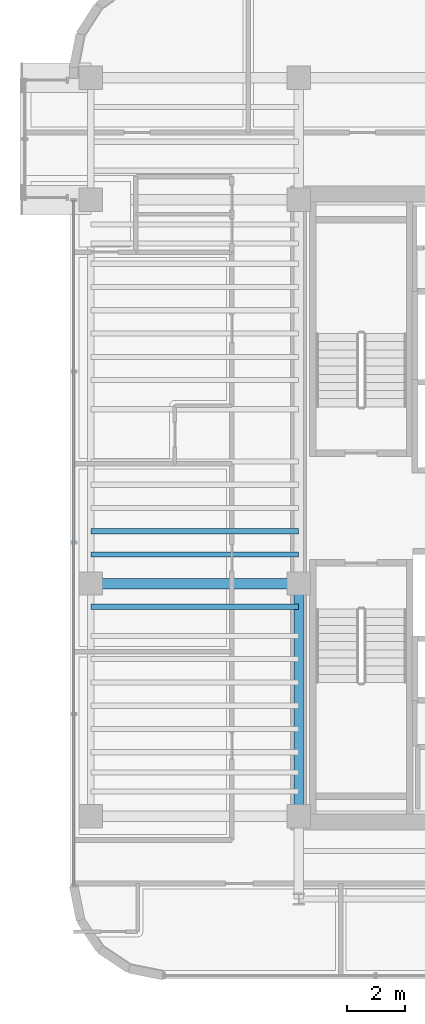
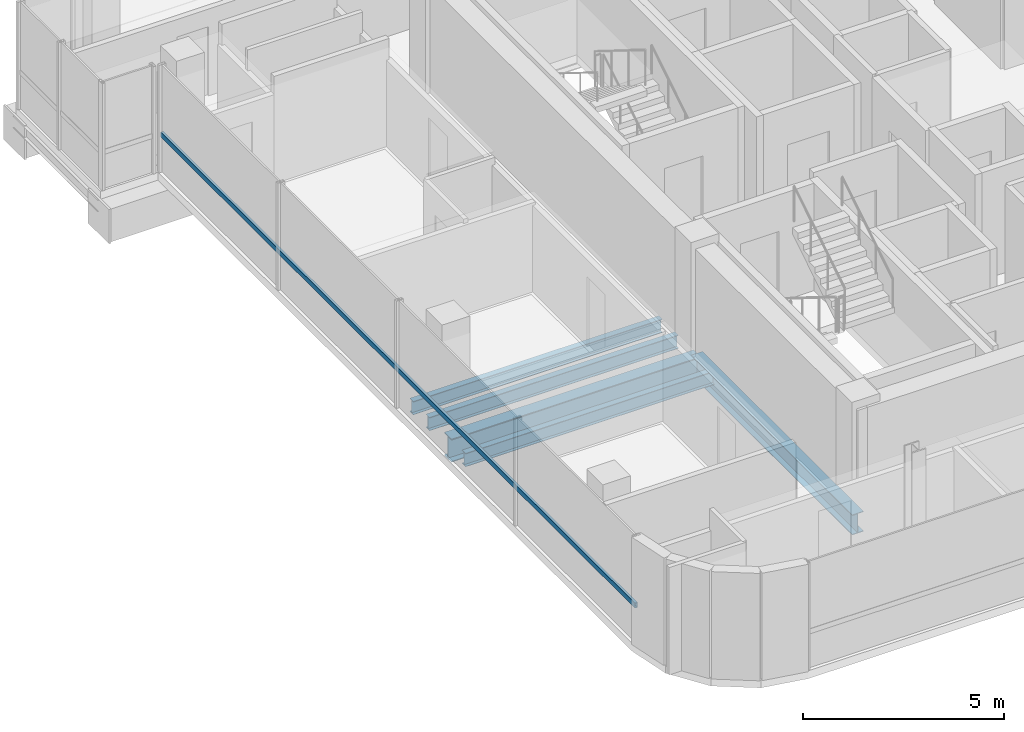
# One storey, part 5 of 21: 5 beams, 1 member, 1 element without a shape of its own.
"""IFC4 building model written with IfcOpenShell, lengths in metres."""

from ifc_helpers import new_model, si_unit, direction, frame, origin, origin_2d, place, context, subcontext, project, spatial, hollow_rectangle, i_section, extrude, source, transform, mapped, material, material_profile, profile_set, type_object, element, aggregate, save


model = new_model("IFC4")

# Units and contexts
model_context = context("Model", 3, precision=1e-05, world=origin(), true_north=direction((0.0, 1.0)))
body_context = subcontext(model_context, "Body", "Model", "MODEL_VIEW")
ifc_project = project(units=[si_unit("LENGTHUNIT", "METRE"), si_unit("AREAUNIT", "SQUARE_METRE"), si_unit("VOLUMEUNIT", "CUBIC_METRE"), si_unit("PLANEANGLEUNIT", "RADIAN"), si_unit("MASSUNIT", "GRAM", prefix="KILO")], contexts=[model_context])

# Site, building, storey
site_placement = place(None, origin())
site = spatial("IfcSite", under=ifc_project, at=site_placement, CompositionType="ELEMENT")
building_placement = place(site_placement, origin())
building = spatial("IfcBuilding", under=site, at=building_placement, Name="Valdorenza Pilgrim Sanctuary Tower", CompositionType="ELEMENT")
storey_placement = place(building_placement, frame((0.0, 0.0, 258.0)))
storey = spatial("IfcBuildingStorey", under=building, at=storey_placement, Name="L67", CompositionType="ELEMENT", Elevation=258.0)

# Beams
ifc_material_1 = material(Name="Steel ASTM A992 Grade 50", Category="steel")
ifc_material_profile_1 = material_profile(ifc_material_1, i_section(OverallWidth=0.323974609375, OverallDepth=0.611083984375, WebThickness=0.0126953125, FlangeThickness=0.01904296875, at=origin_2d()), Name="W24X104")
ifc_profile_set_1 = profile_set([ifc_material_profile_1], Name="Steel ASTM A992 Grade 50")
beam_type_1 = type_object("IfcBeamType", Name="STR-BM-GRD-W24B", PredefinedType="BEAM", material=ifc_profile_set_1)
shared_shape_1 = source(origin(), body_context, "Body", "SweptSolid", [
    extrude(i_section(OverallWidth=0.323974609375, OverallDepth=0.611083984375, WebThickness=0.0126953125, FlangeThickness=0.01904296875, at=origin_2d()), origin(), (0.0, 0.0, 1.0), 8.0),
])
beam_1_placement = place(storey_placement, frame((-22.64990234375, -10.60009765625, -0.54541015625), z_axis=(0.0, 1.0, 0.0), x_axis=(-1.0, 0.0, 0.0)))
element("IfcBeam", 1, at=beam_1_placement, inside=storey, type_object=beam_type_1, Name="L67 Core Tie Girder CA-W-S1M0", PredefinedType="BEAM", context=body_context, shape_type="MappedRepresentation", body=[
    mapped(shared_shape_1, transform((0.0, 0.0, 0.0), x_axis=(1.0, 0.0, 0.0), y_axis=(0.0, 1.0, 0.0), z_axis=(0.0, 0.0, 1.0), scale=1.0)),
])
ifc_material_profile_2 = material_profile(ifc_material_1, i_section(OverallWidth=0.35595703125, OverallDepth=0.700927734375, WebThickness=0.016845703125, FlangeThickness=0.02734375, at=origin_2d()), Name="W27X161")
ifc_profile_set_2 = profile_set([ifc_material_profile_2], Name="Steel ASTM A992 Grade 50")
beam_type_2 = type_object("IfcBeamType", Name="STR-BM-GRD-W27", PredefinedType="BEAM", material=ifc_profile_set_2)
shared_shape_2 = source(origin(), body_context, "Body", "SweptSolid", [
    extrude(i_section(OverallWidth=0.35595703125, OverallDepth=0.700927734375, WebThickness=0.016845703125, FlangeThickness=0.02734375, at=origin_2d()), origin(), (0.0, 0.0, 1.0), 7.150146484375),
])
beam_2_placement = place(storey_placement, frame((-29.800048828125, -2.60009765625, -0.590576171875), z_axis=(1.0, 0.0, 0.0), x_axis=(0.0, 1.0, 0.0)))
element("IfcBeam", 2, at=beam_2_placement, inside=storey, type_object=beam_type_2, Name="L67 Floor Girder WA-XW-M0", PredefinedType="BEAM", context=body_context, shape_type="MappedRepresentation", body=[
    mapped(shared_shape_2, transform((0.0, 0.0, 0.0), x_axis=(1.0, 0.0, 0.0), y_axis=(0.0, 1.0, 0.0), z_axis=(0.0, 0.0, 1.0), scale=1.0)),
])
ifc_material_profile_3 = material_profile(ifc_material_1, i_section(OverallWidth=0.177978515625, OverallDepth=0.406005859375, WebThickness=0.0078125, FlangeThickness=0.0126953125, at=origin_2d()), Name="W16X40")
ifc_profile_set_3 = profile_set([ifc_material_profile_3], Name="Steel ASTM A992 Grade 50")
beam_type_3 = type_object("IfcBeamType", Name="STR-BM-JST-W16", PredefinedType="JOIST", material=ifc_profile_set_3)
shared_shape_3 = source(origin(), body_context, "Body", "SweptSolid", [
    extrude(i_section(OverallWidth=0.177978515625, OverallDepth=0.406005859375, WebThickness=0.0078125, FlangeThickness=0.0126953125, at=origin_2d()), origin(), (0.0, 0.0, 1.0), 7.150146484375),
])
for number, where, z_axis, x_axis, name in (
    (3, (-29.800048828125, -3.39990234375, -0.443115234375), (1.0, 0.0, 0.0), (0.0, 1.0, 0.0), "L67 Composite Floor Joist JST-WA-9"),
    (4, (-29.800048828125, -1.60009765625, -0.443115234375), (1.0, 0.0, 0.0), (0.0, 1.0, 0.0), "L67 Composite Floor Joist JST-WA-10"),
    (5, (-29.800048828125, -0.800048828125, -0.443115234375), (1.0, 0.0, 0.0), (0.0, 1.0, 0.0), "L67 Composite Floor Joist JST-WA-11"),
):
    element("IfcBeam", number, at=place(storey_placement, frame(where, z_axis=z_axis, x_axis=x_axis)), inside=storey, type_object=beam_type_3, Name=name, PredefinedType="JOIST", context=body_context, shape_type="MappedRepresentation", body=[
        mapped(shared_shape_3, transform((0.0, 0.0, 0.0), x_axis=(1.0, 0.0, 0.0), y_axis=(0.0, 1.0, 0.0), z_axis=(0.0, 0.0, 1.0), scale=1.0)),
    ])

# Curtain wall, member
ifc_material_2 = material(Name="Curtain-wall IGU glazing", Category="glass")
curtain_wall_type = type_object("IfcCurtainWallType", Name="CW-SYS-02", PredefinedType="NOTDEFINED", material=ifc_material_2)
curtain_wall_placement = place(storey_placement, origin())
curtain_wall = element("IfcCurtainWall", 6, at=curtain_wall_placement, inside=storey, type_object=curtain_wall_type, Name="L67 Curtain Wall CW-L67-1-1S1", PredefinedType="NOTDEFINED")
ifc_material_3 = material(Name="Anodised aluminium AW-6060", Category="aluminium")
ifc_material_profile_4 = material_profile(ifc_material_3, hollow_rectangle(XDim=0.074951171875, YDim=0.14990234375, WallThickness=0.00390625, at=origin_2d()), Name="ALU-T 150x75x4")
ifc_profile_set_4 = profile_set([ifc_material_profile_4], Name="Anodised aluminium AW-6060")
member_type = type_object("IfcMemberType", Name="CW-TRN-02", PredefinedType="USERDEFINED", material=ifc_profile_set_4)
shared_shape_4 = source(origin(), body_context, "Body", "SweptSolid", [
    extrude(hollow_rectangle(XDim=0.074951171875, YDim=0.14990234375, WallThickness=0.00390625, at=origin_2d()), origin(), (0.0, 0.0, 1.0), 23.58935546875),
])
member_placement = place(storey_placement, frame((-30.389892578125, -12.9892578125, 1.1201171875), z_axis=(0.0, 1.0, 0.0), x_axis=(-1.0, 0.0, 0.0)))
member = element("IfcMember", 7, at=member_placement, type_object=member_type, Name="CW-L67-1-1S1 Transom 1", ObjectType="TRANSOM", PredefinedType="USERDEFINED", context=body_context, shape_type="MappedRepresentation", body=[
    mapped(shared_shape_4, transform((0.0, 0.0, 0.0), x_axis=(1.0, 0.0, 0.0), y_axis=(0.0, 1.0, 0.0), z_axis=(0.0, 0.0, 1.0), scale=1.0)),
])
aggregate(curtain_wall, [member])

save(model, "model.ifc")
